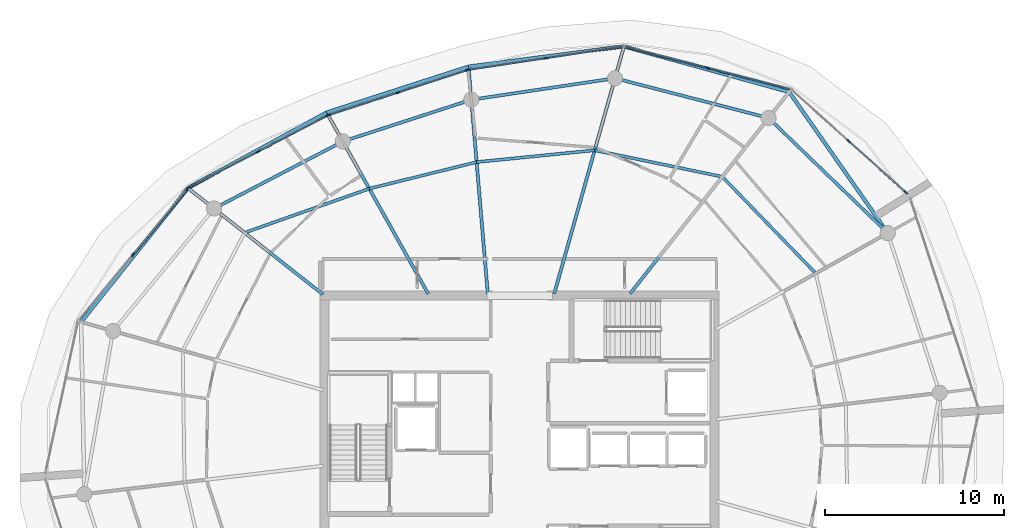
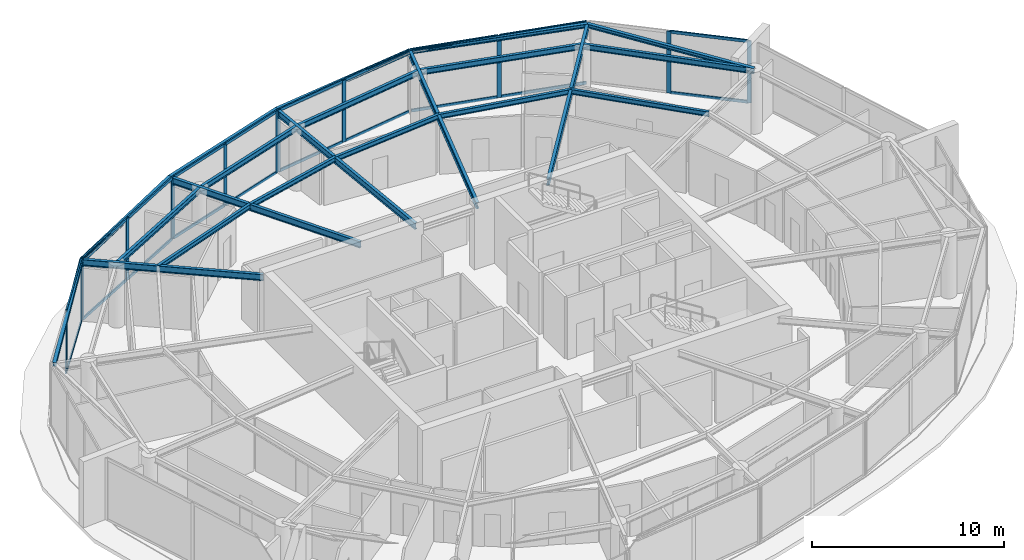
# One storey, part 8 of 16: 33 members, 21 beams, 6 elements without a shape of their own.
"""IFC4 building model written with IfcOpenShell, lengths in metres."""

from ifc_helpers import new_model, si_unit, direction, frame, origin, origin_2d, place, context, subcontext, project, spatial, rectangle, i_section, extrude, material, layer, layer_set, material_profile, profile_set, type_object, element, aggregate, save


model = new_model("IFC4")

# Units and contexts
model_context = context("Model", 3, precision=1e-05, world=origin(), true_north=direction((0.0, 1.0)))
body_context = subcontext(model_context, "Body", "Model", "MODEL_VIEW")
ifc_project = project(units=[si_unit("LENGTHUNIT", "METRE"), si_unit("AREAUNIT", "SQUARE_METRE"), si_unit("VOLUMEUNIT", "CUBIC_METRE"), si_unit("PLANEANGLEUNIT", "RADIAN"), si_unit("MASSUNIT", "GRAM", prefix="KILO")], contexts=[model_context])

# Site, building, storey
site_placement = place(None, origin())
site = spatial("IfcSite", under=ifc_project, at=site_placement, CompositionType="ELEMENT")
building_placement = place(site_placement, origin())
building = spatial("IfcBuilding", under=site, at=building_placement, Name="Kazma Halo Residences", CompositionType="ELEMENT")
storey_placement = place(building_placement, frame((0.0, 0.0, 313.699951171875)))
storey = spatial("IfcBuildingStorey", under=building, at=storey_placement, Name="L79", CompositionType="ELEMENT", Elevation=313.699951171875)

# Beams
ifc_material_1 = material(Name="Steel S355", Category="steel")
ifc_material_profile_1 = material_profile(ifc_material_1, i_section(OverallWidth=0.201904296875, OverallDepth=0.2470703125, WebThickness=0.00732421875, FlangeThickness=0.010986328125, FilletRadius=0.011962890625, at=origin_2d()), Name="W250x49.1")
ifc_profile_set_1 = profile_set([ifc_material_profile_1], Name="Steel S355")
beam_type_1 = type_object("IfcBeamType", Name="BM-BAL-CANT", PredefinedType="BEAM", material=ifc_profile_set_1)
beam_1_placement = place(storey_placement, frame((68.96337890625, 53.739990234375, 3.816650390625), z_axis=(-0.572873629847, 0.819643705659, 0.0), x_axis=(-0.819643705659, -0.572873629847, 0.0)))
element("IfcBeam", 1, at=beam_1_placement, inside=storey, type_object=beam_type_1, Name="L79 wave-balcony lead tie beam 01", PredefinedType="BEAM", context=body_context, shape_type="SweptSolid", body=[
    extrude(i_section(OverallWidth=0.201904296875, OverallDepth=0.2470703125, WebThickness=0.00732421875, FlangeThickness=0.010986328125, FilletRadius=0.011962890625, at=origin_2d()), origin(), (0.0, 0.0, 1.0), 9.6044921875),
])
beam_2_placement = place(storey_placement, frame((63.461181640625, 61.6123046875, 3.816650390625), z_axis=(-0.96390336926, 0.266252314035, 0.0), x_axis=(-0.266252314035, -0.96390336926, 0.0)))
element("IfcBeam", 2, at=beam_2_placement, inside=storey, type_object=beam_type_1, Name="L79 wave-balcony tie beam 02", PredefinedType="BEAM", context=body_context, shape_type="SweptSolid", body=[
    extrude(i_section(OverallWidth=0.201904296875, OverallDepth=0.2470703125, WebThickness=0.00732421875, FlangeThickness=0.010986328125, FilletRadius=0.011962890625, at=origin_2d()), origin(), (0.0, 0.0, 1.0), 9.557373046875),
])
beam_3_placement = place(storey_placement, frame((54.248779296875, 64.156982421875, 3.816650390625), z_axis=(-0.991560530144, -0.129644572045, 0.0), x_axis=(0.129644572045, -0.991560530144, 0.0)))
element("IfcBeam", 3, at=beam_3_placement, inside=storey, type_object=beam_type_1, Name="L79 wave-balcony tie beam 03", PredefinedType="BEAM", context=body_context, shape_type="SweptSolid", body=[
    extrude(i_section(OverallWidth=0.201904296875, OverallDepth=0.2470703125, WebThickness=0.00732421875, FlangeThickness=0.010986328125, FilletRadius=0.011962890625, at=origin_2d()), origin(), (0.0, 0.0, 1.0), 8.7490234375),
])
beam_4_placement = place(storey_placement, frame((45.573486328125, 63.022705078125, 3.816650390625), z_axis=(-0.951537774791, -0.307531889641, 0.0), x_axis=(0.307531889641, -0.951537774791, 0.0)))
element("IfcBeam", 4, at=beam_4_placement, inside=storey, type_object=beam_type_1, Name="L79 wave-balcony tie beam 04", PredefinedType="BEAM", context=body_context, shape_type="SweptSolid", body=[
    extrude(i_section(OverallWidth=0.201904296875, OverallDepth=0.2470703125, WebThickness=0.00732421875, FlangeThickness=0.010986328125, FilletRadius=0.011962890625, at=origin_2d()), origin(), (0.0, 0.0, 1.0), 8.3173828125),
])
beam_5_placement = place(storey_placement, frame((37.6591796875, 60.46484375, 3.816650390625), z_axis=(-0.878288155766, -0.478131692571, 0.0), x_axis=(0.478131692571, -0.878288155766, 0.0)))
element("IfcBeam", 5, at=beam_5_placement, inside=storey, type_object=beam_type_1, Name="L79 wave-balcony tie beam 05", PredefinedType="BEAM", context=body_context, shape_type="SweptSolid", body=[
    extrude(i_section(OverallWidth=0.201904296875, OverallDepth=0.2470703125, WebThickness=0.00732421875, FlangeThickness=0.010986328125, FilletRadius=0.011962890625, at=origin_2d()), origin(), (0.0, 0.0, 1.0), 8.810546875),
])
beam_6_placement = place(storey_placement, frame((29.9208984375, 56.252197265625, 3.816650390625), z_axis=(-0.623310870646, -0.781974141858, 0.0), x_axis=(0.781974141858, -0.623310870646, 0.0)))
element("IfcBeam", 6, at=beam_6_placement, inside=storey, type_object=beam_type_1, Name="L79 wave-balcony tie beam 06", PredefinedType="BEAM", context=body_context, shape_type="SweptSolid", body=[
    extrude(i_section(OverallWidth=0.201904296875, OverallDepth=0.2470703125, WebThickness=0.00732421875, FlangeThickness=0.010986328125, FilletRadius=0.011962890625, at=origin_2d()), origin(), (0.0, 0.0, 1.0), 9.55712890625),
])
ifc_material_profile_2 = material_profile(ifc_material_1, i_section(OverallWidth=0.177978515625, OverallDepth=0.406982421875, WebThickness=0.0078125, FlangeThickness=0.0126953125, FilletRadius=0.013916015625, at=origin_2d()), Name="W410x60")
ifc_profile_set_2 = profile_set([ifc_material_profile_2], Name="Steel S355")
beam_type_2 = type_object("IfcBeamType", Name="BM-RAD-W410", PredefinedType="BEAM", material=ifc_profile_set_2)
beam_7_placement = place(storey_placement, frame((54.58251953125, 50.35009765625, 3.736572265625), z_axis=(0.61910487104, 0.78530832076, 0.0), x_axis=(-0.78530832076, 0.61910487104, 0.0)))
element("IfcBeam", 7, at=beam_7_placement, inside=storey, type_object=beam_type_2, Name="L79 radial floor beam 02", PredefinedType="BEAM", context=body_context, shape_type="SweptSolid", body=[
    extrude(i_section(OverallWidth=0.177978515625, OverallDepth=0.406982421875, WebThickness=0.0078125, FlangeThickness=0.0126953125, FilletRadius=0.013916015625, at=origin_2d()), origin(), (0.0, 0.0, 1.0), 14.341064453125),
])
beam_8_placement = place(storey_placement, frame((50.35498046875, 50.35009765625, 3.736572265625), z_axis=(0.271431061075, 0.962457884317, 0.0), x_axis=(-0.962457884317, 0.271431061075, 0.0)))
element("IfcBeam", 8, at=beam_8_placement, inside=storey, type_object=beam_type_2, Name="L79 radial floor beam 03", PredefinedType="BEAM", context=body_context, shape_type="SweptSolid", body=[
    extrude(i_section(OverallWidth=0.177978515625, OverallDepth=0.406982421875, WebThickness=0.0078125, FlangeThickness=0.0126953125, FilletRadius=0.013916015625, at=origin_2d()), origin(), (0.0, 0.0, 1.0), 14.345458984375),
])
beam_9_placement = place(storey_placement, frame((46.64990234375, 50.35009765625, 3.736572265625), z_axis=(-0.084635605534, 0.996411970159, 0.0), x_axis=(-0.996411970159, -0.084635605534, 0.0)))
element("IfcBeam", 9, at=beam_9_placement, inside=storey, type_object=beam_type_2, Name="L79 radial floor beam 04", PredefinedType="BEAM", context=body_context, shape_type="SweptSolid", body=[
    extrude(i_section(OverallWidth=0.177978515625, OverallDepth=0.406982421875, WebThickness=0.0078125, FlangeThickness=0.0126953125, FilletRadius=0.013916015625, at=origin_2d()), origin(), (0.0, 0.0, 1.0), 12.71826171875),
])
beam_10_placement = place(storey_placement, frame((43.32373046875, 50.35009765625, 3.736572265625), z_axis=(-0.488622607093, 0.872495242301, 0.0), x_axis=(-0.872495242301, -0.488622607093, 0.0)))
element("IfcBeam", 10, at=beam_10_placement, inside=storey, type_object=beam_type_2, Name="L79 radial floor beam 05", PredefinedType="BEAM", context=body_context, shape_type="SweptSolid", body=[
    extrude(i_section(OverallWidth=0.177978515625, OverallDepth=0.406982421875, WebThickness=0.0078125, FlangeThickness=0.0126953125, FilletRadius=0.013916015625, at=origin_2d()), origin(), (0.0, 0.0, 1.0), 11.5927734375),
])
beam_11_placement = place(storey_placement, frame((37.449951171875, 50.31689453125, 3.736572265625), z_axis=(-0.78532321171, 0.619085982032, 0.0), x_axis=(-0.619085982032, -0.78532321171, 0.0)))
element("IfcBeam", 11, at=beam_11_placement, inside=storey, type_object=beam_type_2, Name="L79 radial floor beam 06", PredefinedType="BEAM", context=body_context, shape_type="SweptSolid", body=[
    extrude(i_section(OverallWidth=0.177978515625, OverallDepth=0.406982421875, WebThickness=0.0078125, FlangeThickness=0.0126953125, FilletRadius=0.013916015625, at=origin_2d()), origin(), (0.0, 0.0, 1.0), 9.587158203125),
])
ifc_material_profile_3 = material_profile(ifc_material_1, i_section(OverallWidth=0.1650390625, OverallDepth=0.31005859375, WebThickness=0.005859375, FlangeThickness=0.009765625, FilletRadius=0.011962890625, at=origin_2d()), Name="W310x38.7")
ifc_profile_set_3 = profile_set([ifc_material_profile_3], Name="Steel S355")
beam_type_3 = type_object("IfcBeamType", Name="BM-SEC-W310B", PredefinedType="JOIST", material=ifc_profile_set_3)
beam_12_placement = place(storey_placement, frame((64.94677734375, 51.490478515625, 3.78515625), z_axis=(-0.695209401678, 0.718807267506, 0.0), x_axis=(-0.718807267506, -0.695209401678, 0.0)))
element("IfcBeam", 12, at=beam_12_placement, inside=storey, type_object=beam_type_3, Name="L79 circumferential floor joist 01", PredefinedType="JOIST", context=body_context, shape_type="SweptSolid", body=[
    extrude(i_section(OverallWidth=0.1650390625, OverallDepth=0.31005859375, WebThickness=0.005859375, FlangeThickness=0.009765625, FilletRadius=0.011962890625, at=origin_2d()), origin(), (0.0, 0.0, 1.0), 7.500732421875),
])
beam_13_placement = place(storey_placement, frame((59.732177734375, 56.882080078125, 3.78515625), z_axis=(-0.979179702308, 0.202995346221, 0.0), x_axis=(-0.202995346221, -0.979179702308, 0.0)))
element("IfcBeam", 13, at=beam_13_placement, inside=storey, type_object=beam_type_3, Name="L79 circumferential floor joist 02", PredefinedType="JOIST", context=body_context, shape_type="SweptSolid", body=[
    extrude(i_section(OverallWidth=0.1650390625, OverallDepth=0.31005859375, WebThickness=0.005859375, FlangeThickness=0.009765625, FilletRadius=0.011962890625, at=origin_2d()), origin(), (0.0, 0.0, 1.0), 7.270263671875),
])
beam_14_placement = place(storey_placement, frame((52.61328125, 58.35791015625, 3.78515625), z_axis=(-0.995052877945, -0.099346716569, 0.0), x_axis=(0.099346716569, -0.995052877945, 0.0)))
element("IfcBeam", 14, at=beam_14_placement, inside=storey, type_object=beam_type_3, Name="L79 circumferential floor joist 03", PredefinedType="JOIST", context=body_context, shape_type="SweptSolid", body=[
    extrude(i_section(OverallWidth=0.1650390625, OverallDepth=0.31005859375, WebThickness=0.005859375, FlangeThickness=0.009765625, FilletRadius=0.011962890625, at=origin_2d()), origin(), (0.0, 0.0, 1.0), 6.620361328125),
])
beam_15_placement = place(storey_placement, frame((46.025634765625, 57.7001953125, 3.78515625), z_axis=(-0.970643304903, -0.240523542811, 0.0), x_axis=(0.240523542811, -0.970643304903, 0.0)))
element("IfcBeam", 15, at=beam_15_placement, inside=storey, type_object=beam_type_3, Name="L79 circumferential floor joist 04", PredefinedType="JOIST", context=body_context, shape_type="SweptSolid", body=[
    extrude(i_section(OverallWidth=0.1650390625, OverallDepth=0.31005859375, WebThickness=0.005859375, FlangeThickness=0.009765625, FilletRadius=0.011962890625, at=origin_2d()), origin(), (0.0, 0.0, 1.0), 6.16845703125),
])
beam_16_placement = place(storey_placement, frame((40.038330078125, 56.216552734375, 3.78515625), z_axis=(-0.94289252684, -0.333097107207, 0.0), x_axis=(0.333097107207, -0.94289252684, 0.0)))
element("IfcBeam", 16, at=beam_16_placement, inside=storey, type_object=beam_type_3, Name="L79 circumferential floor joist 05", PredefinedType="JOIST", context=body_context, shape_type="SweptSolid", body=[
    extrude(i_section(OverallWidth=0.1650390625, OverallDepth=0.31005859375, WebThickness=0.005859375, FlangeThickness=0.009765625, FilletRadius=0.011962890625, at=origin_2d()), origin(), (0.0, 0.0, 1.0), 7.376220703125),
])
ifc_material_profile_4 = material_profile(ifc_material_1, i_section(OverallWidth=0.1708984375, OverallDepth=0.35498046875, WebThickness=0.007080078125, FlangeThickness=0.01171875, FilletRadius=0.013916015625, at=origin_2d()), Name="W360x51")
ifc_profile_set_4 = profile_set([ifc_material_profile_4], Name="Steel S355")
beam_type_4 = type_object("IfcBeamType", Name="BM-SPN-W360", PredefinedType="BEAM", material=ifc_profile_set_4)
beam_17_placement = place(storey_placement, frame((68.96337890625, 53.739990234375, 3.762451171875), z_axis=(-0.71933681628, 0.694661460529, 0.0), x_axis=(-0.694661460529, -0.71933681628, 0.0)))
element("IfcBeam", 17, at=beam_17_placement, inside=storey, type_object=beam_type_4, Name="L79 perimeter ring beam 01", PredefinedType="BEAM", context=body_context, shape_type="SweptSolid", body=[
    extrude(i_section(OverallWidth=0.1708984375, OverallDepth=0.35498046875, WebThickness=0.007080078125, FlangeThickness=0.01171875, FilletRadius=0.013916015625, at=origin_2d()), origin(), (0.0, 0.0, 1.0), 9.2412109375),
])
beam_18_placement = place(storey_placement, frame((62.31591796875, 60.159423828125, 3.762451171875), z_axis=(-0.968124082793, 0.250471076805, 0.0), x_axis=(-0.250471076805, -0.968124082793, 0.0)))
element("IfcBeam", 18, at=beam_18_placement, inside=storey, type_object=beam_type_4, Name="L79 perimeter ring beam 02", PredefinedType="BEAM", context=body_context, shape_type="SweptSolid", body=[
    extrude(i_section(OverallWidth=0.1708984375, OverallDepth=0.35498046875, WebThickness=0.007080078125, FlangeThickness=0.01171875, FilletRadius=0.013916015625, at=origin_2d()), origin(), (0.0, 0.0, 1.0), 8.8515625),
])
beam_19_placement = place(storey_placement, frame((53.74658203125, 62.37646484375, 3.762451171875), z_axis=(-0.989030710595, -0.147710031817, 0.0), x_axis=(0.147710031817, -0.989030710595, 0.0)))
element("IfcBeam", 19, at=beam_19_placement, inside=storey, type_object=beam_type_4, Name="L79 perimeter ring beam 03", PredefinedType="BEAM", context=body_context, shape_type="SweptSolid", body=[
    extrude(i_section(OverallWidth=0.1708984375, OverallDepth=0.35498046875, WebThickness=0.007080078125, FlangeThickness=0.01171875, FilletRadius=0.013916015625, at=origin_2d()), origin(), (0.0, 0.0, 1.0), 8.10546875),
])
beam_20_placement = place(storey_placement, frame((45.72998046875, 61.17919921875, 3.762451171875), z_axis=(-0.951056684666, -0.309016476183, 0.0), x_axis=(0.309016476183, -0.951056684666, 0.0)))
element("IfcBeam", 20, at=beam_20_placement, inside=storey, type_object=beam_type_4, Name="L79 perimeter ring beam 04", PredefinedType="BEAM", context=body_context, shape_type="SweptSolid", body=[
    extrude(i_section(OverallWidth=0.1708984375, OverallDepth=0.35498046875, WebThickness=0.007080078125, FlangeThickness=0.01171875, FilletRadius=0.013916015625, at=origin_2d()), origin(), (0.0, 0.0, 1.0), 7.53564453125),
])
beam_21_placement = place(storey_placement, frame((38.563232421875, 58.8505859375, 3.762451171875), z_axis=(-0.886957269655, -0.461851493238, 0.0), x_axis=(0.461851493238, -0.886957269655, 0.0)))
element("IfcBeam", 21, at=beam_21_placement, inside=storey, type_object=beam_type_4, Name="L79 perimeter ring beam 05", PredefinedType="BEAM", context=body_context, shape_type="SweptSolid", body=[
    extrude(i_section(OverallWidth=0.1708984375, OverallDepth=0.35498046875, WebThickness=0.007080078125, FlangeThickness=0.01171875, FilletRadius=0.013916015625, at=origin_2d()), origin(), (0.0, 0.0, 1.0), 8.105712890625),
])

# Curtain wall, members
ifc_material_2 = material(Name="Aluminium AW-6063 T6 and Triple-Silver Low-E Glass", Category="aluminium")
ifc_layer = layer(ifc_material_2, 0.239990234375)
ifc_layer_set = layer_set([ifc_layer], Name="Aluminium AW-6063 T6 and Triple-Silver Low-E Glass")
curtain_wall_type = type_object("IfcCurtainWallType", Name="CW-SYS-6", PredefinedType="NOTDEFINED", material=ifc_layer_set)
curtain_wall_1_placement = place(storey_placement, origin())
curtain_wall_1 = element("IfcCurtainWall", 22, at=curtain_wall_1_placement, inside=storey, type_object=curtain_wall_type, Name="L79 unitised curtain wall B01", PredefinedType="NOTDEFINED")
ifc_material_3 = material(Name="Aluminium AW-6063 T6", Category="aluminium")
ifc_material_profile_5 = material_profile(ifc_material_3, rectangle(XDim=0.080078125, YDim=0.239990234375, at=origin_2d()), Name="CWM-80x240")
ifc_profile_set_5 = profile_set([ifc_material_profile_5], Name="Aluminium AW-6063 T6")
member_type_1 = type_object("IfcMemberType", Name="CW-SYS-6-MUL", PredefinedType="MULLION", material=ifc_profile_set_5)
member_1_placement = place(storey_placement, frame((69.968017578125, 56.013916015625, 0.0), z_axis=(0.0, 0.0, 1.0), x_axis=(-0.667757559118, -0.744378829791, 0.0)))
member_1 = element("IfcMember", 23, at=member_1_placement, type_object=member_type_1, Name="CWS-6 mullion 1", PredefinedType="MULLION", context=body_context, shape_type="SweptSolid", body=[
    extrude(rectangle(XDim=0.080078125, YDim=0.239990234375, at=origin_2d()), origin(), (0.0, 0.0, 1.0), 3.93994140625),
])
member_2_placement = place(storey_placement, frame((66.78466796875, 58.86962890625, 0.0), z_axis=(0.0, 0.0, 1.0), x_axis=(-0.667757559118, -0.744378829791, 0.0)))
member_2 = element("IfcMember", 24, at=member_2_placement, type_object=member_type_1, Name="CWS-6 mullion 2", PredefinedType="MULLION", context=body_context, shape_type="SweptSolid", body=[
    extrude(rectangle(XDim=0.080078125, YDim=0.239990234375, at=origin_2d()), origin(), (0.0, 0.0, 1.0), 3.93994140625),
])

# Curtain wall, member
curtain_wall_2_placement = place(storey_placement, origin())
curtain_wall_2 = element("IfcCurtainWall", 25, at=curtain_wall_2_placement, inside=storey, type_object=curtain_wall_type, Name="L79 unitised curtain wall B02", PredefinedType="NOTDEFINED")
member_3_placement = place(storey_placement, frame((58.90966796875, 62.952880859375, 0.0), z_axis=(0.0, 0.0, 1.0), x_axis=(-0.249445747416, -0.968388774768, 0.0)))
member_3 = element("IfcMember", 26, at=member_3_placement, type_object=member_type_1, Name="CWS-6 mullion 2", PredefinedType="MULLION", context=body_context, shape_type="SweptSolid", body=[
    extrude(rectangle(XDim=0.080078125, YDim=0.239990234375, at=origin_2d()), origin(), (0.0, 0.0, 1.0), 3.93994140625),
])

# Curtain wall, members
curtain_wall_3_placement = place(storey_placement, origin())
curtain_wall_3 = element("IfcCurtainWall", 27, at=curtain_wall_3_placement, inside=storey, type_object=curtain_wall_type, Name="L79 unitised curtain wall B03", PredefinedType="NOTDEFINED")
member_4_placement = place(storey_placement, frame((49.890625, 63.497802734375, 0.0), z_axis=(0.0, 0.0, 1.0), x_axis=(0.148870876743, -0.988856643836, 0.0)))
member_4 = element("IfcMember", 28, at=member_4_placement, type_object=member_type_1, Name="CWS-6 mullion 2", PredefinedType="MULLION", context=body_context, shape_type="SweptSolid", body=[
    extrude(rectangle(XDim=0.080078125, YDim=0.239990234375, at=origin_2d()), origin(), (0.0, 0.0, 1.0), 3.93994140625),
])
member_5_placement = place(storey_placement, frame((45.57275390625, 62.84765625, 0.0), z_axis=(0.0, 0.0, 1.0), x_axis=(0.148870876743, -0.988856643836, 0.0)))
member_5 = element("IfcMember", 29, at=member_5_placement, type_object=member_type_1, Name="CWS-6 mullion 3", PredefinedType="MULLION", context=body_context, shape_type="SweptSolid", body=[
    extrude(rectangle(XDim=0.080078125, YDim=0.239990234375, at=origin_2d()), origin(), (0.0, 0.0, 1.0), 3.93994140625),
])

curtain_wall_4_placement = place(storey_placement, origin())
curtain_wall_4 = element("IfcCurtainWall", 30, at=curtain_wall_4_placement, inside=storey, type_object=curtain_wall_type, Name="L79 unitised curtain wall B04", PredefinedType="NOTDEFINED")
member_6_placement = place(storey_placement, frame((45.4951171875, 62.829345703125, 0.0), z_axis=(0.0, 0.0, 1.0), x_axis=(0.309019800612, -0.951055604489, 0.0)))
member_6 = element("IfcMember", 31, at=member_6_placement, type_object=member_type_1, Name="CWS-6 mullion 1", PredefinedType="MULLION", context=body_context, shape_type="SweptSolid", body=[
    extrude(rectangle(XDim=0.080078125, YDim=0.239990234375, at=origin_2d()), origin(), (0.0, 0.0, 1.0), 3.93994140625),
])
member_7_placement = place(storey_placement, frame((41.63916015625, 61.57666015625, 0.0), z_axis=(0.0, 0.0, 1.0), x_axis=(0.309019800612, -0.951055604489, 0.0)))
member_7 = element("IfcMember", 32, at=member_7_placement, type_object=member_type_1, Name="CWS-6 mullion 2", PredefinedType="MULLION", context=body_context, shape_type="SweptSolid", body=[
    extrude(rectangle(XDim=0.080078125, YDim=0.239990234375, at=origin_2d()), origin(), (0.0, 0.0, 1.0), 3.93994140625),
])
member_8_placement = place(storey_placement, frame((37.783203125, 60.32373046875, 0.0), z_axis=(0.0, 0.0, 1.0), x_axis=(0.309019800612, -0.951055604489, 0.0)))
member_8 = element("IfcMember", 33, at=member_8_placement, type_object=member_type_1, Name="CWS-6 mullion 3", PredefinedType="MULLION", context=body_context, shape_type="SweptSolid", body=[
    extrude(rectangle(XDim=0.080078125, YDim=0.239990234375, at=origin_2d()), origin(), (0.0, 0.0, 1.0), 3.93994140625),
])

curtain_wall_5_placement = place(storey_placement, origin())
curtain_wall_5 = element("IfcCurtainWall", 34, at=curtain_wall_5_placement, inside=storey, type_object=curtain_wall_type, Name="L79 unitised curtain wall B05", PredefinedType="NOTDEFINED")
member_9_placement = place(storey_placement, frame((37.709716796875, 60.29296875, 0.0), z_axis=(0.0, 0.0, 1.0), x_axis=(0.460796020861, -0.887506071618, 0.0)))
member_9 = element("IfcMember", 35, at=member_9_placement, type_object=member_type_1, Name="CWS-6 mullion 1", PredefinedType="MULLION", context=body_context, shape_type="SweptSolid", body=[
    extrude(rectangle(XDim=0.080078125, YDim=0.239990234375, at=origin_2d()), origin(), (0.0, 0.0, 1.0), 3.93994140625),
])
member_10_placement = place(storey_placement, frame((33.83447265625, 58.28076171875, 0.0), z_axis=(0.0, 0.0, 1.0), x_axis=(0.460796020861, -0.887506071618, 0.0)))
member_10 = element("IfcMember", 36, at=member_10_placement, type_object=member_type_1, Name="CWS-6 mullion 2", PredefinedType="MULLION", context=body_context, shape_type="SweptSolid", body=[
    extrude(rectangle(XDim=0.080078125, YDim=0.239990234375, at=origin_2d()), origin(), (0.0, 0.0, 1.0), 3.93994140625),
])
member_11_placement = place(storey_placement, frame((29.958984375, 56.268798828125, 0.0), z_axis=(0.0, 0.0, 1.0), x_axis=(0.460796020861, -0.887506071618, 0.0)))
member_11 = element("IfcMember", 37, at=member_11_placement, type_object=member_type_1, Name="CWS-6 mullion 3", PredefinedType="MULLION", context=body_context, shape_type="SweptSolid", body=[
    extrude(rectangle(XDim=0.080078125, YDim=0.239990234375, at=origin_2d()), origin(), (0.0, 0.0, 1.0), 3.93994140625),
])

curtain_wall_6_placement = place(storey_placement, origin())
curtain_wall_6 = element("IfcCurtainWall", 38, at=curtain_wall_6_placement, inside=storey, type_object=curtain_wall_type, Name="L79 unitised curtain wall B06", PredefinedType="NOTDEFINED")
member_12_placement = place(storey_placement, frame((29.898193359375, 56.219482421875, 0.0), z_axis=(0.0, 0.0, 1.0), x_axis=(0.771014079248, -0.636818097734, 0.0)))
member_12 = element("IfcMember", 39, at=member_12_placement, type_object=member_type_1, Name="CWS-6 mullion 1", PredefinedType="MULLION", context=body_context, shape_type="SweptSolid", body=[
    extrude(rectangle(XDim=0.080078125, YDim=0.239990234375, at=origin_2d()), origin(), (0.0, 0.0, 1.0), 3.93994140625),
])
member_13_placement = place(storey_placement, frame((26.858154296875, 52.538818359375, 0.0), z_axis=(0.0, 0.0, 1.0), x_axis=(0.771014079248, -0.636818097734, 0.0)))
member_13 = element("IfcMember", 40, at=member_13_placement, type_object=member_type_1, Name="CWS-6 mullion 2", PredefinedType="MULLION", context=body_context, shape_type="SweptSolid", body=[
    extrude(rectangle(XDim=0.080078125, YDim=0.239990234375, at=origin_2d()), origin(), (0.0, 0.0, 1.0), 3.93994140625),
])

# Member
ifc_material_profile_6 = material_profile(ifc_material_3, rectangle(XDim=0.080078125, YDim=0.179931640625, at=origin_2d()), Name="CWT-80x180")
ifc_profile_set_6 = profile_set([ifc_material_profile_6], Name="Aluminium AW-6063 T6")
member_type_2 = type_object("IfcMemberType", Name="CW-SYS-6-TRN", PredefinedType="USERDEFINED", material=ifc_profile_set_6)
member_14_placement = place(storey_placement, frame((69.938232421875, 56.04052734375, 0.0400390625), z_axis=(-0.744349048391, 0.66779075627, 0.0), x_axis=(-0.66779075627, -0.744349048391, 0.0)))
member_14 = element("IfcMember", 41, at=member_14_placement, type_object=member_type_2, Name="CWS-6 transom 1.1", ObjectType="TRANSOM", PredefinedType="USERDEFINED", context=body_context, shape_type="SweptSolid", body=[
    extrude(rectangle(XDim=0.080078125, YDim=0.179931640625, at=origin_2d()), origin(), (0.0, 0.0, 1.0), 4.19677734375),
])

member_15_placement = place(storey_placement, frame((69.938232421875, 56.04052734375, 3.900146484375), z_axis=(-0.744349048391, 0.66779075627, 0.0), x_axis=(-0.66779075627, -0.744349048391, 0.0)))
member_15 = element("IfcMember", 42, at=member_15_placement, type_object=member_type_2, Name="CWS-6 transom 1.2", ObjectType="TRANSOM", PredefinedType="USERDEFINED", context=body_context, shape_type="SweptSolid", body=[
    extrude(rectangle(XDim=0.080078125, YDim=0.179931640625, at=origin_2d()), origin(), (0.0, 0.0, 1.0), 4.19677734375),
])

aggregate(curtain_wall_1, [member_1, member_2, member_14, member_15])

member_16_placement = place(storey_placement, frame((63.493896484375, 61.772216796875, 0.0400390625), z_axis=(-0.968386028801, 0.249456407462, 0.0), x_axis=(-0.249456407462, -0.968386028801, 0.0)))
member_16 = element("IfcMember", 43, at=member_16_placement, type_object=member_type_2, Name="CWS-6 transom 1.1", ObjectType="TRANSOM", PredefinedType="USERDEFINED", context=body_context, shape_type="SweptSolid", body=[
    extrude(rectangle(XDim=0.080078125, YDim=0.179931640625, at=origin_2d()), origin(), (0.0, 0.0, 1.0), 4.69384765625),
])

member_17_placement = place(storey_placement, frame((63.493896484375, 61.772216796875, 3.900146484375), z_axis=(-0.968386028801, 0.249456407462, 0.0), x_axis=(-0.249456407462, -0.968386028801, 0.0)))
member_17 = element("IfcMember", 44, at=member_17_placement, type_object=member_type_2, Name="CWS-6 transom 1.2", ObjectType="TRANSOM", PredefinedType="USERDEFINED", context=body_context, shape_type="SweptSolid", body=[
    extrude(rectangle(XDim=0.080078125, YDim=0.179931640625, at=origin_2d()), origin(), (0.0, 0.0, 1.0), 4.69384765625),
])

member_18_placement = place(storey_placement, frame((58.870849609375, 62.962890625, 0.0400390625), z_axis=(-0.968386028801, 0.249456407462, 0.0), x_axis=(-0.249456407462, -0.968386028801, 0.0)))
member_18 = element("IfcMember", 45, at=member_18_placement, type_object=member_type_2, Name="CWS-6 transom 2.1", ObjectType="TRANSOM", PredefinedType="USERDEFINED", context=body_context, shape_type="SweptSolid", body=[
    extrude(rectangle(XDim=0.080078125, YDim=0.179931640625, at=origin_2d()), origin(), (0.0, 0.0, 1.0), 4.69384765625),
])

member_19_placement = place(storey_placement, frame((58.870849609375, 62.962890625, 3.900146484375), z_axis=(-0.968386028801, 0.249456407462, 0.0), x_axis=(-0.249456407462, -0.968386028801, 0.0)))
member_19 = element("IfcMember", 46, at=member_19_placement, type_object=member_type_2, Name="CWS-6 transom 2.2", ObjectType="TRANSOM", PredefinedType="USERDEFINED", context=body_context, shape_type="SweptSolid", body=[
    extrude(rectangle(XDim=0.080078125, YDim=0.179931640625, at=origin_2d()), origin(), (0.0, 0.0, 1.0), 4.69384765625),
])

aggregate(curtain_wall_2, [member_3, member_16, member_17, member_18, member_19])

member_20_placement = place(storey_placement, frame((54.1689453125, 64.141845703125, 0.0400390625), z_axis=(-0.988855159078, -0.14888073873, 0.0), x_axis=(0.14888073873, -0.988855159078, 0.0)))
member_20 = element("IfcMember", 47, at=member_20_placement, type_object=member_type_2, Name="CWS-6 transom 1.1", ObjectType="TRANSOM", PredefinedType="USERDEFINED", context=body_context, shape_type="SweptSolid", body=[
    extrude(rectangle(XDim=0.080078125, YDim=0.179931640625, at=origin_2d()), origin(), (0.0, 0.0, 1.0), 4.28662109375),
])

member_21_placement = place(storey_placement, frame((54.1689453125, 64.141845703125, 3.900146484375), z_axis=(-0.988855159078, -0.14888073873, 0.0), x_axis=(0.14888073873, -0.988855159078, 0.0)))
member_21 = element("IfcMember", 48, at=member_21_placement, type_object=member_type_2, Name="CWS-6 transom 1.2", ObjectType="TRANSOM", PredefinedType="USERDEFINED", context=body_context, shape_type="SweptSolid", body=[
    extrude(rectangle(XDim=0.080078125, YDim=0.179931640625, at=origin_2d()), origin(), (0.0, 0.0, 1.0), 4.28662109375),
])

member_22_placement = place(storey_placement, frame((49.85107421875, 63.491943359375, 0.0400390625), z_axis=(-0.988855159078, -0.14888073873, 0.0), x_axis=(0.14888073873, -0.988855159078, 0.0)))
member_22 = element("IfcMember", 49, at=member_22_placement, type_object=member_type_2, Name="CWS-6 transom 2.1", ObjectType="TRANSOM", PredefinedType="USERDEFINED", context=body_context, shape_type="SweptSolid", body=[
    extrude(rectangle(XDim=0.080078125, YDim=0.179931640625, at=origin_2d()), origin(), (0.0, 0.0, 1.0), 4.28662109375),
])

member_23_placement = place(storey_placement, frame((49.85107421875, 63.491943359375, 3.900146484375), z_axis=(-0.988855159078, -0.14888073873, 0.0), x_axis=(0.14888073873, -0.988855159078, 0.0)))
member_23 = element("IfcMember", 50, at=member_23_placement, type_object=member_type_2, Name="CWS-6 transom 2.2", ObjectType="TRANSOM", PredefinedType="USERDEFINED", context=body_context, shape_type="SweptSolid", body=[
    extrude(rectangle(XDim=0.080078125, YDim=0.179931640625, at=origin_2d()), origin(), (0.0, 0.0, 1.0), 4.28662109375),
])

aggregate(curtain_wall_3, [member_4, member_5, member_20, member_21, member_22, member_23])

member_24_placement = place(storey_placement, frame((45.45703125, 62.817138671875, 0.0400390625), z_axis=(-0.951045805211, -0.309049957758, 0.0), x_axis=(0.309049957758, -0.951045805211, 0.0)))
member_24 = element("IfcMember", 51, at=member_24_placement, type_object=member_type_2, Name="CWS-6 transom 1.1", ObjectType="TRANSOM", PredefinedType="USERDEFINED", context=body_context, shape_type="SweptSolid", body=[
    extrude(rectangle(XDim=0.080078125, YDim=0.179931640625, at=origin_2d()), origin(), (0.0, 0.0, 1.0), 3.974365234375),
])

member_25_placement = place(storey_placement, frame((45.45703125, 62.817138671875, 3.900146484375), z_axis=(-0.951045805211, -0.309049957758, 0.0), x_axis=(0.309049957758, -0.951045805211, 0.0)))
member_25 = element("IfcMember", 52, at=member_25_placement, type_object=member_type_2, Name="CWS-6 transom 1.2", ObjectType="TRANSOM", PredefinedType="USERDEFINED", context=body_context, shape_type="SweptSolid", body=[
    extrude(rectangle(XDim=0.080078125, YDim=0.179931640625, at=origin_2d()), origin(), (0.0, 0.0, 1.0), 3.974365234375),
])

member_26_placement = place(storey_placement, frame((41.60107421875, 61.564208984375, 0.0400390625), z_axis=(-0.951045805211, -0.309049957758, 0.0), x_axis=(0.309049957758, -0.951045805211, 0.0)))
member_26 = element("IfcMember", 53, at=member_26_placement, type_object=member_type_2, Name="CWS-6 transom 2.1", ObjectType="TRANSOM", PredefinedType="USERDEFINED", context=body_context, shape_type="SweptSolid", body=[
    extrude(rectangle(XDim=0.080078125, YDim=0.179931640625, at=origin_2d()), origin(), (0.0, 0.0, 1.0), 3.974365234375),
])

member_27_placement = place(storey_placement, frame((41.60107421875, 61.564208984375, 3.900146484375), z_axis=(-0.951045805211, -0.309049957758, 0.0), x_axis=(0.309049957758, -0.951045805211, 0.0)))
member_27 = element("IfcMember", 54, at=member_27_placement, type_object=member_type_2, Name="CWS-6 transom 2.2", ObjectType="TRANSOM", PredefinedType="USERDEFINED", context=body_context, shape_type="SweptSolid", body=[
    extrude(rectangle(XDim=0.080078125, YDim=0.179931640625, at=origin_2d()), origin(), (0.0, 0.0, 1.0), 3.974365234375),
])

aggregate(curtain_wall_4, [member_6, member_7, member_8, member_24, member_25, member_26, member_27])

member_28_placement = place(storey_placement, frame((37.67431640625, 60.2744140625, 0.0400390625), z_axis=(-0.88752339951, -0.460762645321, 0.0), x_axis=(0.460762645321, -0.88752339951, 0.0)))
member_28 = element("IfcMember", 55, at=member_28_placement, type_object=member_type_2, Name="CWS-6 transom 1.1", ObjectType="TRANSOM", PredefinedType="USERDEFINED", context=body_context, shape_type="SweptSolid", body=[
    extrude(rectangle(XDim=0.080078125, YDim=0.179931640625, at=origin_2d()), origin(), (0.0, 0.0, 1.0), 4.28662109375),
])

member_29_placement = place(storey_placement, frame((37.67431640625, 60.2744140625, 3.900146484375), z_axis=(-0.88752339951, -0.460762645321, 0.0), x_axis=(0.460762645321, -0.88752339951, 0.0)))
member_29 = element("IfcMember", 56, at=member_29_placement, type_object=member_type_2, Name="CWS-6 transom 1.2", ObjectType="TRANSOM", PredefinedType="USERDEFINED", context=body_context, shape_type="SweptSolid", body=[
    extrude(rectangle(XDim=0.080078125, YDim=0.179931640625, at=origin_2d()), origin(), (0.0, 0.0, 1.0), 4.28662109375),
])

member_30_placement = place(storey_placement, frame((33.798828125, 58.262451171875, 0.0400390625), z_axis=(-0.887488013571, -0.4608307995, 0.0), x_axis=(0.4608307995, -0.887488013571, 0.0)))
member_30 = element("IfcMember", 57, at=member_30_placement, type_object=member_type_2, Name="CWS-6 transom 2.1", ObjectType="TRANSOM", PredefinedType="USERDEFINED", context=body_context, shape_type="SweptSolid", body=[
    extrude(rectangle(XDim=0.080078125, YDim=0.179931640625, at=origin_2d()), origin(), (0.0, 0.0, 1.0), 4.286376953125),
])

member_31_placement = place(storey_placement, frame((33.798828125, 58.262451171875, 3.900146484375), z_axis=(-0.887488013571, -0.4608307995, 0.0), x_axis=(0.4608307995, -0.887488013571, 0.0)))
member_31 = element("IfcMember", 58, at=member_31_placement, type_object=member_type_2, Name="CWS-6 transom 2.2", ObjectType="TRANSOM", PredefinedType="USERDEFINED", context=body_context, shape_type="SweptSolid", body=[
    extrude(rectangle(XDim=0.080078125, YDim=0.179931640625, at=origin_2d()), origin(), (0.0, 0.0, 1.0), 4.286376953125),
])

aggregate(curtain_wall_5, [member_9, member_10, member_11, member_28, member_29, member_30, member_31])

member_32_placement = place(storey_placement, frame((29.87255859375, 56.188720703125, 0.0400390625), z_axis=(-0.636791384721, -0.771036142049, 0.0), x_axis=(0.771036142049, -0.636791384721, 0.0)))
member_32 = element("IfcMember", 59, at=member_32_placement, type_object=member_type_2, Name="CWS-6 transom 1.1", ObjectType="TRANSOM", PredefinedType="USERDEFINED", context=body_context, shape_type="SweptSolid", body=[
    extrude(rectangle(XDim=0.080078125, YDim=0.179931640625, at=origin_2d()), origin(), (0.0, 0.0, 1.0), 4.69384765625),
])

member_33_placement = place(storey_placement, frame((29.87255859375, 56.188720703125, 3.900146484375), z_axis=(-0.636791384721, -0.771036142049, 0.0), x_axis=(0.771036142049, -0.636791384721, 0.0)))
member_33 = element("IfcMember", 60, at=member_33_placement, type_object=member_type_2, Name="CWS-6 transom 1.2", ObjectType="TRANSOM", PredefinedType="USERDEFINED", context=body_context, shape_type="SweptSolid", body=[
    extrude(rectangle(XDim=0.080078125, YDim=0.179931640625, at=origin_2d()), origin(), (0.0, 0.0, 1.0), 4.69384765625),
])

aggregate(curtain_wall_6, [member_12, member_13, member_32, member_33])

save(model, "model.ifc")
